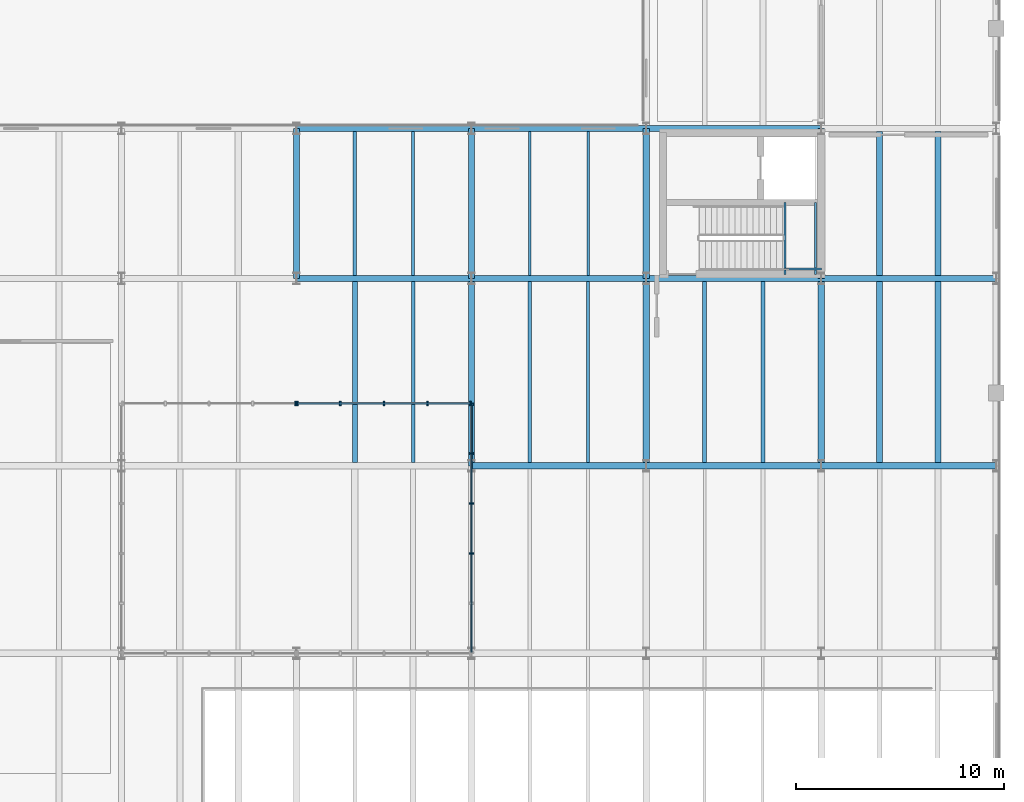
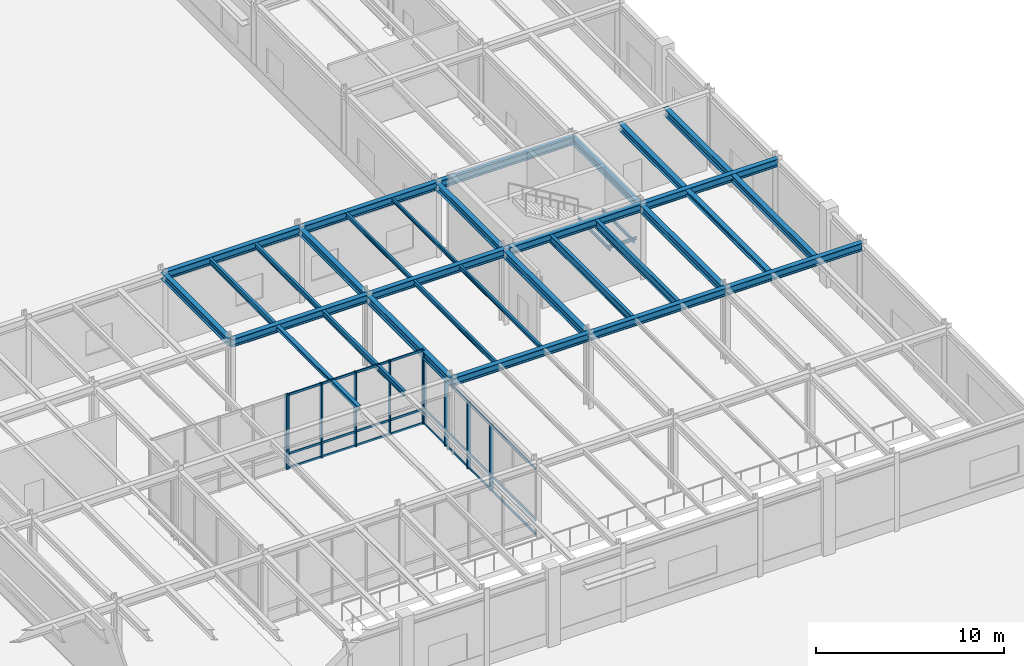
# One storey, part 29 of 64: 34 beams, 16 members, 3 elements without a shape of their own.
"""IFC4 building model written with IfcOpenShell, lengths in metres."""

from ifc_helpers import new_model, si_unit, direction, frame, origin, origin_2d, place, context, subcontext, project, spatial, rectangle, i_section, extrude, material, layer, layer_set, material_profile, profile_set, type_object, element, aggregate, save


model = new_model("IFC4")

# Units and contexts
model_context = context("Model", 3, precision=1e-05, world=origin(), true_north=direction((0.0, 1.0)))
body_context = subcontext(model_context, "Body", "Model", "MODEL_VIEW")
ifc_project = project(units=[si_unit("LENGTHUNIT", "METRE"), si_unit("AREAUNIT", "SQUARE_METRE"), si_unit("VOLUMEUNIT", "CUBIC_METRE"), si_unit("PLANEANGLEUNIT", "RADIAN"), si_unit("MASSUNIT", "GRAM", prefix="KILO")], contexts=[model_context])

# Site, building, storey
site_placement = place(None, origin())
site = spatial("IfcSite", under=ifc_project, at=site_placement, CompositionType="ELEMENT")
building_placement = place(site_placement, origin())
building = spatial("IfcBuilding", under=site, at=building_placement, Name="Montealbar Specialist Clinic", CompositionType="ELEMENT")
storey_placement = place(building_placement, origin())
storey = spatial("IfcBuildingStorey", under=building, at=storey_placement, Name="L00", CompositionType="ELEMENT", Elevation=0.0)

# Beams
ifc_material_1 = material(Name="Steel S355", Category="steel")
ifc_material_profile_1 = material_profile(ifc_material_1, i_section(OverallWidth=0.300048828125, OverallDepth=0.449951171875, WebThickness=0.013916015625, FlangeThickness=0.02587890625, FilletRadius=0.027099609375, at=origin_2d()), Name="HEB 450", Category="steel")
ifc_profile_set_1 = profile_set([ifc_material_profile_1], Name="Steel S355")
beam_type_1 = type_object("IfcBeamType", Name="BM-GIRD-HEB450", PredefinedType="BEAM", material=ifc_profile_set_1)
for number, where, z_axis, x_axis, name in (
    (1, (128.39990234375, 45.0, 4.5849609375), (0.0, 1.0, 0.0), (-1.0, 0.0, 0.0), "Beam GY-L00-1284-450-522"),
    (2, (136.800048828125, 45.0, 4.5849609375), (0.0, 1.0, 0.0), (-1.0, 0.0, 0.0), "Beam GY-L00-1368-450-522"),
    (3, (145.199951171875, 45.0, 4.5849609375), (0.0, 1.0, 0.0), (-1.0, 0.0, 0.0), "Beam GY-L00-1452-450-522"),
    (4, (153.60009765625, 45.0, 4.5849609375), (0.0, 1.0, 0.0), (-1.0, 0.0, 0.0), "Beam GY-L00-1536-450-522"),
):
    element("IfcBeam", number, at=place(storey_placement, frame(where, z_axis=z_axis, x_axis=x_axis)), inside=storey, type_object=beam_type_1, Name=name, PredefinedType="BEAM", context=body_context, shape_type="SweptSolid", body=[
        extrude(i_section(OverallWidth=0.300048828125, OverallDepth=0.449951171875, WebThickness=0.013916015625, FlangeThickness=0.02587890625, FilletRadius=0.027099609375, at=origin_2d()), origin(), (0.0, 0.0, 1.0), 7.199951171875),
    ])
ifc_material_profile_2 = material_profile(ifc_material_1, i_section(OverallWidth=0.300048828125, OverallDepth=0.5, WebThickness=0.014404296875, FlangeThickness=0.028076171875, FilletRadius=0.027099609375, at=origin_2d()), Name="HEB 500", Category="steel")
ifc_profile_set_2 = profile_set([ifc_material_profile_2], Name="Steel S355")
beam_type_2 = type_object("IfcBeamType", Name="BM-GIRD-HEB500", PredefinedType="BEAM", material=ifc_profile_set_2)
beam_1_placement = place(storey_placement, frame((136.800048828125, 36.0, 4.56005859375), z_axis=(1.0, 0.0, 0.0), x_axis=(0.0, 1.0, 0.0)))
element("IfcBeam", 5, at=beam_1_placement, inside=storey, type_object=beam_type_2, Name="Beam GX-L00-1368-1452-360", PredefinedType="BEAM", context=body_context, shape_type="SweptSolid", body=[
    extrude(i_section(OverallWidth=0.300048828125, OverallDepth=0.5, WebThickness=0.014404296875, FlangeThickness=0.028076171875, FilletRadius=0.027099609375, at=origin_2d()), origin(), (0.0, 0.0, 1.0), 8.39990234375),
])
beam_2_placement = place(storey_placement, frame((145.199951171875, 36.0, 4.56005859375), z_axis=(1.0, 0.0, 0.0), x_axis=(0.0, 1.0, 0.0)))
element("IfcBeam", 6, at=beam_2_placement, inside=storey, type_object=beam_type_2, Name="Beam GX-L00-1452-1536-360", PredefinedType="BEAM", context=body_context, shape_type="SweptSolid", body=[
    extrude(i_section(OverallWidth=0.300048828125, OverallDepth=0.5, WebThickness=0.014404296875, FlangeThickness=0.028076171875, FilletRadius=0.027099609375, at=origin_2d()), origin(), (0.0, 0.0, 1.0), 8.400146484375),
])
beam_3_placement = place(storey_placement, frame((153.60009765625, 36.0, 4.56005859375), z_axis=(1.0, 0.0, 0.0), x_axis=(0.0, 1.0, 0.0)))
element("IfcBeam", 7, at=beam_3_placement, inside=storey, type_object=beam_type_2, Name="Beam GX-L00-1536-1620-360", PredefinedType="BEAM", context=body_context, shape_type="SweptSolid", body=[
    extrude(i_section(OverallWidth=0.300048828125, OverallDepth=0.5, WebThickness=0.014404296875, FlangeThickness=0.028076171875, FilletRadius=0.027099609375, at=origin_2d()), origin(), (0.0, 0.0, 1.0), 8.39990234375),
])
beam_4_placement = place(storey_placement, frame((128.39990234375, 45.0, 4.56005859375), z_axis=(1.0, 0.0, 0.0), x_axis=(0.0, 1.0, 0.0)))
element("IfcBeam", 8, at=beam_4_placement, inside=storey, type_object=beam_type_2, Name="Beam GX-L00-1284-1368-450", PredefinedType="BEAM", context=body_context, shape_type="SweptSolid", body=[
    extrude(i_section(OverallWidth=0.300048828125, OverallDepth=0.5, WebThickness=0.014404296875, FlangeThickness=0.028076171875, FilletRadius=0.027099609375, at=origin_2d()), origin(), (0.0, 0.0, 1.0), 8.400146484375),
])
beam_5_placement = place(storey_placement, frame((136.800048828125, 45.0, 4.56005859375), z_axis=(1.0, 0.0, 0.0), x_axis=(0.0, 1.0, 0.0)))
element("IfcBeam", 9, at=beam_5_placement, inside=storey, type_object=beam_type_2, Name="Beam GX-L00-1368-1452-450", PredefinedType="BEAM", context=body_context, shape_type="SweptSolid", body=[
    extrude(i_section(OverallWidth=0.300048828125, OverallDepth=0.5, WebThickness=0.014404296875, FlangeThickness=0.028076171875, FilletRadius=0.027099609375, at=origin_2d()), origin(), (0.0, 0.0, 1.0), 8.39990234375),
])
beam_6_placement = place(storey_placement, frame((145.199951171875, 45.0, 4.56005859375), z_axis=(1.0, 0.0, 0.0), x_axis=(0.0, 1.0, 0.0)))
element("IfcBeam", 10, at=beam_6_placement, inside=storey, type_object=beam_type_2, Name="Beam GX-L00-1452-1536-450", PredefinedType="BEAM", context=body_context, shape_type="SweptSolid", body=[
    extrude(i_section(OverallWidth=0.300048828125, OverallDepth=0.5, WebThickness=0.014404296875, FlangeThickness=0.028076171875, FilletRadius=0.027099609375, at=origin_2d()), origin(), (0.0, 0.0, 1.0), 8.400146484375),
])
beam_7_placement = place(storey_placement, frame((153.60009765625, 45.0, 4.56005859375), z_axis=(1.0, 0.0, 0.0), x_axis=(0.0, 1.0, 0.0)))
element("IfcBeam", 11, at=beam_7_placement, inside=storey, type_object=beam_type_2, Name="Beam GX-L00-1536-1620-450", PredefinedType="BEAM", context=body_context, shape_type="SweptSolid", body=[
    extrude(i_section(OverallWidth=0.300048828125, OverallDepth=0.5, WebThickness=0.014404296875, FlangeThickness=0.028076171875, FilletRadius=0.027099609375, at=origin_2d()), origin(), (0.0, 0.0, 1.0), 8.39990234375),
])
beam_8_placement = place(storey_placement, frame((145.199951171875, 52.199951171875, 4.56005859375), z_axis=(1.0, 0.0, 0.0), x_axis=(0.0, 1.0, 0.0)))
element("IfcBeam", 12, at=beam_8_placement, inside=storey, type_object=beam_type_2, Name="Beam GX-L00-1452-1536-522", PredefinedType="BEAM", context=body_context, shape_type="SweptSolid", body=[
    extrude(i_section(OverallWidth=0.300048828125, OverallDepth=0.5, WebThickness=0.014404296875, FlangeThickness=0.028076171875, FilletRadius=0.027099609375, at=origin_2d()), origin(), (0.0, 0.0, 1.0), 8.400146484375),
])
for number, where, z_axis, x_axis, name in (
    (13, (145.199951171875, 36.0, 4.56005859375), (0.0, 1.0, 0.0), (-1.0, 0.0, 0.0), "Beam GY-L00-1452-360-450"),
    (14, (153.60009765625, 36.0, 4.56005859375), (0.0, 1.0, 0.0), (-1.0, 0.0, 0.0), "Beam GY-L00-1536-360-450"),
):
    element("IfcBeam", number, at=place(storey_placement, frame(where, z_axis=z_axis, x_axis=x_axis)), inside=storey, type_object=beam_type_2, Name=name, PredefinedType="BEAM", context=body_context, shape_type="SweptSolid", body=[
        extrude(i_section(OverallWidth=0.300048828125, OverallDepth=0.5, WebThickness=0.014404296875, FlangeThickness=0.028076171875, FilletRadius=0.027099609375, at=origin_2d()), origin(), (0.0, 0.0, 1.0), 9.0),
    ])
ifc_material_profile_3 = material_profile(ifc_material_1, i_section(OverallWidth=0.300048828125, OverallDepth=0.5, WebThickness=0.014404296875, FlangeThickness=0.028076171875, FilletRadius=0.027099609375, at=origin_2d()), Name="HEB 500", Category="steel")
ifc_profile_set_3 = profile_set([ifc_material_profile_3], Name="Steel S355")
beam_type_3 = type_object("IfcBeamType", Name="BM-GIRD-HEB500-EXT", PredefinedType="BEAM", material=ifc_profile_set_3)
beam_9_placement = place(storey_placement, frame((128.39990234375, 52.199951171875, 4.56005859375), z_axis=(1.0, 0.0, 0.0), x_axis=(0.0, 1.0, 0.0)))
element("IfcBeam", 15, at=beam_9_placement, inside=storey, type_object=beam_type_3, Name="Beam GX-L00-1284-1368-522", PredefinedType="BEAM", context=body_context, shape_type="SweptSolid", body=[
    extrude(i_section(OverallWidth=0.300048828125, OverallDepth=0.5, WebThickness=0.014404296875, FlangeThickness=0.028076171875, FilletRadius=0.027099609375, at=origin_2d()), origin(), (0.0, 0.0, 1.0), 8.400146484375),
])
beam_10_placement = place(storey_placement, frame((136.800048828125, 52.199951171875, 4.56005859375), z_axis=(1.0, 0.0, 0.0), x_axis=(0.0, 1.0, 0.0)))
element("IfcBeam", 16, at=beam_10_placement, inside=storey, type_object=beam_type_3, Name="Beam GX-L00-1368-1452-522", PredefinedType="BEAM", context=body_context, shape_type="SweptSolid", body=[
    extrude(i_section(OverallWidth=0.300048828125, OverallDepth=0.5, WebThickness=0.014404296875, FlangeThickness=0.028076171875, FilletRadius=0.027099609375, at=origin_2d()), origin(), (0.0, 0.0, 1.0), 8.39990234375),
])
beam_11_placement = place(storey_placement, frame((136.800048828125, 36.0, 4.56005859375), z_axis=(0.0, 1.0, 0.0), x_axis=(-1.0, 0.0, 0.0)))
element("IfcBeam", 17, at=beam_11_placement, inside=storey, type_object=beam_type_3, Name="Beam GY-L00-1368-360-450", PredefinedType="BEAM", context=body_context, shape_type="SweptSolid", body=[
    extrude(i_section(OverallWidth=0.300048828125, OverallDepth=0.5, WebThickness=0.014404296875, FlangeThickness=0.028076171875, FilletRadius=0.027099609375, at=origin_2d()), origin(), (0.0, 0.0, 1.0), 9.0),
])
ifc_material_profile_4 = material_profile(ifc_material_1, i_section(OverallWidth=0.300048828125, OverallDepth=0.35009765625, WebThickness=0.010009765625, FlangeThickness=0.017578125, FilletRadius=0.027099609375, at=origin_2d()), Name="HEA 360", Category="steel")
ifc_profile_set_4 = profile_set([ifc_material_profile_4], Name="Steel S355")
beam_type_4 = type_object("IfcBeamType", Name="BM-JST-HEA360", PredefinedType="JOIST", material=ifc_profile_set_4)
beam_12_placement = place(storey_placement, frame((156.39990234375, 36.14990234375, 4.635009765625), z_axis=(0.0, 1.0, 0.0), x_axis=(-1.0, 0.0, 0.0)))
element("IfcBeam", 18, at=beam_12_placement, inside=storey, type_object=beam_type_4, Name="Beam JST-L00-1564-362-448", PredefinedType="JOIST", context=body_context, shape_type="SweptSolid", body=[
    extrude(i_section(OverallWidth=0.300048828125, OverallDepth=0.35009765625, WebThickness=0.010009765625, FlangeThickness=0.017578125, FilletRadius=0.027099609375, at=origin_2d()), origin(), (0.0, 0.0, 1.0), 8.7001953125),
])
ifc_material_profile_5 = material_profile(ifc_material_1, i_section(OverallWidth=0.300048828125, OverallDepth=0.43994140625, WebThickness=0.011474609375, FlangeThickness=0.02099609375, FilletRadius=0.027099609375, at=origin_2d()), Name="HEA 450", Category="steel")
ifc_profile_set_5 = profile_set([ifc_material_profile_5], Name="Steel S355")
beam_type_5 = type_object("IfcBeamType", Name="BM-JST-HEA450", PredefinedType="JOIST", material=ifc_profile_set_5)
beam_13_placement = place(storey_placement, frame((159.199951171875, 36.14990234375, 4.590087890625), z_axis=(0.0, 1.0, 0.0), x_axis=(-1.0, 0.0, 0.0)))
element("IfcBeam", 19, at=beam_13_placement, inside=storey, type_object=beam_type_5, Name="Beam JST-L00-1592-362-448", PredefinedType="JOIST", context=body_context, shape_type="SweptSolid", body=[
    extrude(i_section(OverallWidth=0.300048828125, OverallDepth=0.43994140625, WebThickness=0.011474609375, FlangeThickness=0.02099609375, FilletRadius=0.027099609375, at=origin_2d()), origin(), (0.0, 0.0, 1.0), 8.7001953125),
])
beam_14_placement = place(storey_placement, frame((156.39990234375, 45.14990234375, 4.590087890625), z_axis=(0.0, 1.0, 0.0), x_axis=(-1.0, 0.0, 0.0)))
element("IfcBeam", 20, at=beam_14_placement, inside=storey, type_object=beam_type_5, Name="Beam JST-L00-1564-452-520", PredefinedType="JOIST", context=body_context, shape_type="SweptSolid", body=[
    extrude(i_section(OverallWidth=0.300048828125, OverallDepth=0.43994140625, WebThickness=0.011474609375, FlangeThickness=0.02099609375, FilletRadius=0.027099609375, at=origin_2d()), origin(), (0.0, 0.0, 1.0), 6.900146484375),
])
ifc_material_profile_6 = material_profile(ifc_material_1, i_section(OverallWidth=0.300048828125, OverallDepth=0.489990234375, WebThickness=0.011962890625, FlangeThickness=0.02294921875, FilletRadius=0.027099609375, at=origin_2d()), Name="HEA 500", Category="steel")
ifc_profile_set_6 = profile_set([ifc_material_profile_6], Name="Steel S355")
beam_type_6 = type_object("IfcBeamType", Name="BM-JST-HEA500", PredefinedType="JOIST", material=ifc_profile_set_6)
beam_15_placement = place(storey_placement, frame((159.199951171875, 45.14990234375, 4.56494140625), z_axis=(0.0, 1.0, 0.0), x_axis=(-1.0, 0.0, 0.0)))
element("IfcBeam", 21, at=beam_15_placement, inside=storey, type_object=beam_type_6, Name="Beam JST-L00-1592-452-520", PredefinedType="JOIST", context=body_context, shape_type="SweptSolid", body=[
    extrude(i_section(OverallWidth=0.300048828125, OverallDepth=0.489990234375, WebThickness=0.011962890625, FlangeThickness=0.02294921875, FilletRadius=0.027099609375, at=origin_2d()), origin(), (0.0, 0.0, 1.0), 6.900146484375),
])
ifc_material_profile_7 = material_profile(ifc_material_1, i_section(OverallWidth=0.1201171875, OverallDepth=0.239990234375, WebThickness=0.006103515625, FlangeThickness=0.009765625, FilletRadius=0.014892578125, at=origin_2d()), Name="IPE 240", Category="steel")
ifc_profile_set_7 = profile_set([ifc_material_profile_7], Name="Steel S355")
beam_type_7 = type_object("IfcBeamType", Name="BM-JST-IPE240", PredefinedType="JOIST", material=ifc_profile_set_7)
beam_16_placement = place(storey_placement, frame((142.39990234375, 45.14990234375, 4.68994140625), z_axis=(0.0, 1.0, 0.0), x_axis=(-1.0, 0.0, 0.0)))
element("IfcBeam", 22, at=beam_16_placement, inside=storey, type_object=beam_type_7, Name="Beam JST-L00-1424-452-520", PredefinedType="JOIST", context=body_context, shape_type="SweptSolid", body=[
    extrude(i_section(OverallWidth=0.1201171875, OverallDepth=0.239990234375, WebThickness=0.006103515625, FlangeThickness=0.009765625, FilletRadius=0.014892578125, at=origin_2d()), origin(), (0.0, 0.0, 1.0), 6.900146484375),
])
ifc_material_profile_8 = material_profile(ifc_material_1, i_section(OverallWidth=0.135009765625, OverallDepth=0.27001953125, WebThickness=0.006591796875, FlangeThickness=0.01025390625, FilletRadius=0.014892578125, at=origin_2d()), Name="IPE 270", Category="steel")
ifc_profile_set_8 = profile_set([ifc_material_profile_8], Name="Steel S355")
beam_type_8 = type_object("IfcBeamType", Name="BM-JST-IPE270", PredefinedType="JOIST", material=ifc_profile_set_8)
beam_17_placement = place(storey_placement, frame((142.39990234375, 36.14990234375, 4.675048828125), z_axis=(0.0, 1.0, 0.0), x_axis=(-1.0, 0.0, 0.0)))
element("IfcBeam", 23, at=beam_17_placement, inside=storey, type_object=beam_type_8, Name="Beam JST-L00-1424-362-448", PredefinedType="JOIST", context=body_context, shape_type="SweptSolid", body=[
    extrude(i_section(OverallWidth=0.135009765625, OverallDepth=0.27001953125, WebThickness=0.006591796875, FlangeThickness=0.01025390625, FilletRadius=0.014892578125, at=origin_2d()), origin(), (0.0, 0.0, 1.0), 8.7001953125),
])
beam_18_placement = place(storey_placement, frame((139.60009765625, 45.14990234375, 4.675048828125), z_axis=(0.0, 1.0, 0.0), x_axis=(-1.0, 0.0, 0.0)))
element("IfcBeam", 24, at=beam_18_placement, inside=storey, type_object=beam_type_8, Name="Beam JST-L00-1396-452-520", PredefinedType="JOIST", context=body_context, shape_type="SweptSolid", body=[
    extrude(i_section(OverallWidth=0.135009765625, OverallDepth=0.27001953125, WebThickness=0.006591796875, FlangeThickness=0.01025390625, FilletRadius=0.014892578125, at=origin_2d()), origin(), (0.0, 0.0, 1.0), 6.900146484375),
])
ifc_material_profile_9 = material_profile(ifc_material_1, i_section(OverallWidth=0.14990234375, OverallDepth=0.300048828125, WebThickness=0.007080078125, FlangeThickness=0.0107421875, FilletRadius=0.014892578125, at=origin_2d()), Name="IPE 300", Category="steel")
ifc_profile_set_9 = profile_set([ifc_material_profile_9], Name="Steel S355")
beam_type_9 = type_object("IfcBeamType", Name="BM-JST-IPE300", PredefinedType="JOIST", material=ifc_profile_set_9)
beam_19_placement = place(storey_placement, frame((139.60009765625, 36.14990234375, 4.659912109375), z_axis=(0.0, 1.0, 0.0), x_axis=(-1.0, 0.0, 0.0)))
element("IfcBeam", 25, at=beam_19_placement, inside=storey, type_object=beam_type_9, Name="Beam JST-L00-1396-362-448", PredefinedType="JOIST", context=body_context, shape_type="SweptSolid", body=[
    extrude(i_section(OverallWidth=0.14990234375, OverallDepth=0.300048828125, WebThickness=0.007080078125, FlangeThickness=0.0107421875, FilletRadius=0.014892578125, at=origin_2d()), origin(), (0.0, 0.0, 1.0), 8.7001953125),
])
ifc_material_profile_10 = material_profile(ifc_material_1, i_section(OverallWidth=0.159912109375, OverallDepth=0.330078125, WebThickness=0.007568359375, FlangeThickness=0.011474609375, FilletRadius=0.01806640625, at=origin_2d()), Name="IPE 330", Category="steel")
ifc_profile_set_10 = profile_set([ifc_material_profile_10], Name="Steel S355")
beam_type_10 = type_object("IfcBeamType", Name="BM-JST-IPE330", PredefinedType="JOIST", material=ifc_profile_set_10)
beam_20_placement = place(storey_placement, frame((134.0, 45.14990234375, 4.64501953125), z_axis=(0.0, 1.0, 0.0), x_axis=(-1.0, 0.0, 0.0)))
element("IfcBeam", 26, at=beam_20_placement, inside=storey, type_object=beam_type_10, Name="Beam JST-L00-1340-452-520", PredefinedType="JOIST", context=body_context, shape_type="SweptSolid", body=[
    extrude(i_section(OverallWidth=0.159912109375, OverallDepth=0.330078125, WebThickness=0.007568359375, FlangeThickness=0.011474609375, FilletRadius=0.01806640625, at=origin_2d()), origin(), (0.0, 0.0, 1.0), 6.900146484375),
])
ifc_material_profile_11 = material_profile(ifc_material_1, i_section(OverallWidth=0.169921875, OverallDepth=0.360107421875, WebThickness=0.008056640625, FlangeThickness=0.0126953125, FilletRadius=0.01806640625, at=origin_2d()), Name="IPE 360", Category="steel")
ifc_profile_set_11 = profile_set([ifc_material_profile_11], Name="Steel S355")
beam_type_11 = type_object("IfcBeamType", Name="BM-JST-IPE360", PredefinedType="JOIST", material=ifc_profile_set_11)
beam_21_placement = place(storey_placement, frame((134.0, 36.15087890625, 4.6298828125), z_axis=(0.0, 1.0, 0.0), x_axis=(-1.0, 0.0, 0.0)))
element("IfcBeam", 27, at=beam_21_placement, inside=storey, type_object=beam_type_11, Name="Beam JST-L00-1340-362-448", PredefinedType="JOIST", context=body_context, shape_type="SweptSolid", body=[
    extrude(i_section(OverallWidth=0.169921875, OverallDepth=0.360107421875, WebThickness=0.008056640625, FlangeThickness=0.0126953125, FilletRadius=0.01806640625, at=origin_2d()), origin(), (0.0, 0.0, 1.0), 8.69921875),
])
beam_22_placement = place(storey_placement, frame((131.199951171875, 45.14990234375, 4.6298828125), z_axis=(0.0, 1.0, 0.0), x_axis=(-1.0, 0.0, 0.0)))
element("IfcBeam", 28, at=beam_22_placement, inside=storey, type_object=beam_type_11, Name="Beam JST-L00-1312-452-520", PredefinedType="JOIST", context=body_context, shape_type="SweptSolid", body=[
    extrude(i_section(OverallWidth=0.169921875, OverallDepth=0.360107421875, WebThickness=0.008056640625, FlangeThickness=0.0126953125, FilletRadius=0.01806640625, at=origin_2d()), origin(), (0.0, 0.0, 1.0), 6.900146484375),
])
ifc_material_profile_12 = material_profile(ifc_material_1, i_section(OverallWidth=0.199951171875, OverallDepth=0.5, WebThickness=0.01025390625, FlangeThickness=0.01611328125, FilletRadius=0.02099609375, at=origin_2d()), Name="IPE 500", Category="steel")
ifc_profile_set_12 = profile_set([ifc_material_profile_12], Name="Steel S355")
beam_type_12 = type_object("IfcBeamType", Name="BM-JST-IPE500", PredefinedType="JOIST", material=ifc_profile_set_12)
beam_23_placement = place(storey_placement, frame((148.0, 36.14990234375, 4.56005859375), z_axis=(0.0, 1.0, 0.0), x_axis=(-1.0, 0.0, 0.0)))
element("IfcBeam", 29, at=beam_23_placement, inside=storey, type_object=beam_type_12, Name="Beam JST-L00-1480-362-448", PredefinedType="JOIST", context=body_context, shape_type="SweptSolid", body=[
    extrude(i_section(OverallWidth=0.199951171875, OverallDepth=0.5, WebThickness=0.01025390625, FlangeThickness=0.01611328125, FilletRadius=0.02099609375, at=origin_2d()), origin(), (0.0, 0.0, 1.0), 8.7001953125),
])
ifc_material_profile_13 = material_profile(ifc_material_1, i_section(OverallWidth=0.2099609375, OverallDepth=0.550048828125, WebThickness=0.010986328125, FlangeThickness=0.01708984375, FilletRadius=0.02392578125, at=origin_2d()), Name="IPE 550", Category="steel")
ifc_profile_set_13 = profile_set([ifc_material_profile_13], Name="Steel S355")
beam_type_13 = type_object("IfcBeamType", Name="BM-JST-IPE550", PredefinedType="JOIST", material=ifc_profile_set_13)
beam_24_placement = place(storey_placement, frame((150.800048828125, 36.14990234375, 4.534912109375), z_axis=(0.0, 1.0, 0.0), x_axis=(-1.0, 0.0, 0.0)))
element("IfcBeam", 30, at=beam_24_placement, inside=storey, type_object=beam_type_13, Name="Beam JST-L00-1508-362-448", PredefinedType="JOIST", context=body_context, shape_type="SweptSolid", body=[
    extrude(i_section(OverallWidth=0.2099609375, OverallDepth=0.550048828125, WebThickness=0.010986328125, FlangeThickness=0.01708984375, FilletRadius=0.02392578125, at=origin_2d()), origin(), (0.0, 0.0, 1.0), 8.7001953125),
])
ifc_material_profile_14 = material_profile(ifc_material_1, i_section(OverallWidth=0.10009765625, OverallDepth=0.199951171875, WebThickness=0.005615234375, FlangeThickness=0.008544921875, FilletRadius=0.011962890625, at=origin_2d()), Name="IPE 200", Category="steel")
ifc_profile_set_14 = profile_set([ifc_material_profile_14], Name="Steel S355")
beam_type_14 = type_object("IfcBeamType", Name="BM-LINT-IPE200", PredefinedType="LINTEL", material=ifc_profile_set_14)
for number, where, z_axis, x_axis, name in (
    (31, (151.860107421875, 45.199951171875, 2.25), (0.0, 1.0, 0.0), (-1.0, 0.0, 0.0), "Core C6 Stair Landing Beam L00 W"),
    (32, (153.330078125, 45.199951171875, 2.25), (0.0, 1.0, 0.0), (-1.0, 0.0, 0.0), "Core C6 Stair Landing Beam L00 E"),
):
    element("IfcBeam", number, at=place(storey_placement, frame(where, z_axis=z_axis, x_axis=x_axis)), inside=storey, type_object=beam_type_14, Name=name, PredefinedType="LINTEL", context=body_context, shape_type="SweptSolid", body=[
        extrude(i_section(OverallWidth=0.10009765625, OverallDepth=0.199951171875, WebThickness=0.005615234375, FlangeThickness=0.008544921875, FilletRadius=0.011962890625, at=origin_2d()), origin(), (0.0, 0.0, 1.0), 3.449951171875),
    ])
beam_25_placement = place(storey_placement, frame((151.860107421875, 45.449951171875, 2.25), z_axis=(1.0, 0.0, 0.0), x_axis=(0.0, 1.0, 0.0)))
element("IfcBeam", 33, at=beam_25_placement, inside=storey, type_object=beam_type_14, Name="Core C6 Stair Landing Tie Beam L00", PredefinedType="LINTEL", context=body_context, shape_type="SweptSolid", body=[
    extrude(i_section(OverallWidth=0.10009765625, OverallDepth=0.199951171875, WebThickness=0.005615234375, FlangeThickness=0.008544921875, FilletRadius=0.011962890625, at=origin_2d()), origin(), (0.0, 0.0, 1.0), 1.739990234375),
])
ifc_material_profile_15 = material_profile(ifc_material_1, i_section(OverallWidth=0.239990234375, OverallDepth=0.22998046875, WebThickness=0.007568359375, FlangeThickness=0.011962890625, FilletRadius=0.02099609375, at=origin_2d()), Name="HEA 240", Category="steel")
ifc_profile_set_15 = profile_set([ifc_material_profile_15], Name="Steel S355")
beam_type_15 = type_object("IfcBeamType", Name="BM-SPAND-HEA240", PredefinedType="SPANDREL", material=ifc_profile_set_15)
beam_26_placement = place(storey_placement, frame((131.199951171875, 36.15087890625, 4.695068359375), z_axis=(0.0, 1.0, 0.0), x_axis=(-1.0, 0.0, 0.0)))
element("IfcBeam", 34, at=beam_26_placement, inside=storey, type_object=beam_type_15, Name="Beam JST-L00-1312-362-448", PredefinedType="SPANDREL", context=body_context, shape_type="SweptSolid", body=[
    extrude(i_section(OverallWidth=0.239990234375, OverallDepth=0.22998046875, WebThickness=0.007568359375, FlangeThickness=0.011962890625, FilletRadius=0.02099609375, at=origin_2d()), origin(), (0.0, 0.0, 1.0), 8.69921875),
])

# Curtain wall, members
ifc_material_2 = material(Name="Low-E double glazing", Category="glass")
ifc_layer_1 = layer(ifc_material_2, 0.199951171875, Name="Low-E double glazing", Category="glass")
ifc_layer_set_1 = layer_set([ifc_layer_1], Name="Low-E double glazing")
curtain_wall_type_1 = type_object("IfcCurtainWallType", Name="CW-TYPE-04", PredefinedType="NOTDEFINED", material=ifc_layer_set_1)
curtain_wall_1_placement = place(storey_placement, origin())
curtain_wall_1 = element("IfcCurtainWall", 35, at=curtain_wall_1_placement, inside=storey, type_object=curtain_wall_type_1, Name="Unitised Curtain Wall CW-L00-1368-270-1368-390-0", PredefinedType="NOTDEFINED")
ifc_material_3 = material(Name="Anodised aluminium EN AW-6063", Category="aluminium")
ifc_material_profile_16 = material_profile(ifc_material_3, rectangle(XDim=0.080078125, YDim=0.219970703125, at=origin_2d()), Name="ALU 80x220", Category="aluminium")
ifc_profile_set_16 = profile_set([ifc_material_profile_16], Name="Anodised aluminium EN AW-6063")
member_type_1 = type_object("IfcMemberType", Name="CW-MUL-220", PredefinedType="MULLION", material=ifc_profile_set_16)
member_1_placement = place(storey_placement, frame((136.800048828125, 31.800048828125, 0.0), z_axis=(0.0, 0.0, 1.0), x_axis=(0.0, 1.0, 0.0)))
member_1 = element("IfcMember", 36, at=member_1_placement, type_object=member_type_1, Name="Curtain Wall Mullion CW-L00-1368-270-1368-390-0-02", PredefinedType="MULLION", context=body_context, shape_type="SweptSolid", body=[
    extrude(rectangle(XDim=0.080078125, YDim=0.219970703125, at=origin_2d()), origin(), (0.0, 0.0, 1.0), 4.31005859375),
])
member_2_placement = place(storey_placement, frame((136.800048828125, 34.199951171875, 0.0), z_axis=(0.0, 0.0, 1.0), x_axis=(0.0, 1.0, 0.0)))
member_2 = element("IfcMember", 37, at=member_2_placement, type_object=member_type_1, Name="Curtain Wall Mullion CW-L00-1368-270-1368-390-0-03", PredefinedType="MULLION", context=body_context, shape_type="SweptSolid", body=[
    extrude(rectangle(XDim=0.080078125, YDim=0.219970703125, at=origin_2d()), origin(), (0.0, 0.0, 1.0), 4.31005859375),
])
member_3_placement = place(storey_placement, frame((136.800048828125, 36.60009765625, 0.0), z_axis=(0.0, 0.0, 1.0), x_axis=(0.0, 1.0, 0.0)))
member_3 = element("IfcMember", 38, at=member_3_placement, type_object=member_type_1, Name="Curtain Wall Mullion CW-L00-1368-270-1368-390-0-04", PredefinedType="MULLION", context=body_context, shape_type="SweptSolid", body=[
    extrude(rectangle(XDim=0.080078125, YDim=0.219970703125, at=origin_2d()), origin(), (0.0, 0.0, 1.0), 4.31005859375),
])
member_4_placement = place(storey_placement, frame((136.800048828125, 38.955078125, 0.0), z_axis=(0.0, 0.0, 1.0), x_axis=(0.0, 1.0, 0.0)))
member_4 = element("IfcMember", 39, at=member_4_placement, type_object=member_type_1, Name="Curtain Wall Mullion CW-L00-1368-270-1368-390-0-05", PredefinedType="MULLION", context=body_context, shape_type="SweptSolid", body=[
    extrude(rectangle(XDim=0.080078125, YDim=0.219970703125, at=origin_2d()), origin(), (0.0, 0.0, 1.0), 4.31005859375),
])

ifc_layer_2 = layer(ifc_material_2, 0.199951171875, Name="Low-E double glazing", Category="glass")
ifc_layer_set_2 = layer_set([ifc_layer_2], Name="Low-E double glazing")
curtain_wall_type_2 = type_object("IfcCurtainWallType", Name="CW-TYPE-06", PredefinedType="NOTDEFINED", material=ifc_layer_set_2)
curtain_wall_2_placement = place(storey_placement, origin())
curtain_wall_2 = element("IfcCurtainWall", 40, at=curtain_wall_2_placement, inside=storey, type_object=curtain_wall_type_2, Name="Unitised Curtain Wall CW-L00-1368-390-1284-390-0", PredefinedType="NOTDEFINED")
member_5_placement = place(storey_placement, frame((136.7548828125, 39.0, 0.0), z_axis=(0.0, 0.0, 1.0), x_axis=(-1.0, 0.0, 0.0)))
member_5 = element("IfcMember", 41, at=member_5_placement, type_object=member_type_1, Name="Curtain Wall Mullion CW-L00-1368-390-1284-390-0-00", PredefinedType="MULLION", context=body_context, shape_type="SweptSolid", body=[
    extrude(rectangle(XDim=0.080078125, YDim=0.219970703125, at=origin_2d()), origin(), (0.0, 0.0, 1.0), 4.820068359375),
])
member_6_placement = place(storey_placement, frame((134.699951171875, 39.0, 0.0), z_axis=(0.0, 0.0, 1.0), x_axis=(-1.0, 0.0, 0.0)))
member_6 = element("IfcMember", 42, at=member_6_placement, type_object=member_type_1, Name="Curtain Wall Mullion CW-L00-1368-390-1284-390-0-01", PredefinedType="MULLION", context=body_context, shape_type="SweptSolid", body=[
    extrude(rectangle(XDim=0.080078125, YDim=0.219970703125, at=origin_2d()), origin(), (0.0, 0.0, 1.0), 4.820068359375),
])
member_7_placement = place(storey_placement, frame((132.60009765625, 39.0, 0.0), z_axis=(0.0, 0.0, 1.0), x_axis=(-1.0, 0.0, 0.0)))
member_7 = element("IfcMember", 43, at=member_7_placement, type_object=member_type_1, Name="Curtain Wall Mullion CW-L00-1368-390-1284-390-0-02", PredefinedType="MULLION", context=body_context, shape_type="SweptSolid", body=[
    extrude(rectangle(XDim=0.080078125, YDim=0.219970703125, at=origin_2d()), origin(), (0.0, 0.0, 1.0), 4.820068359375),
])
member_8_placement = place(storey_placement, frame((130.5, 39.0, 0.0), z_axis=(0.0, 0.0, 1.0), x_axis=(-1.0, 0.0, 0.0)))
member_8 = element("IfcMember", 44, at=member_8_placement, type_object=member_type_1, Name="Curtain Wall Mullion CW-L00-1368-390-1284-390-0-03", PredefinedType="MULLION", context=body_context, shape_type="SweptSolid", body=[
    extrude(rectangle(XDim=0.080078125, YDim=0.219970703125, at=origin_2d()), origin(), (0.0, 0.0, 1.0), 4.820068359375),
])
member_9_placement = place(storey_placement, frame((128.445068359375, 39.0, 0.0), z_axis=(0.0, 0.0, 1.0), x_axis=(-1.0, 0.0, 0.0)))
member_9 = element("IfcMember", 45, at=member_9_placement, type_object=member_type_1, Name="Curtain Wall Mullion CW-L00-1368-390-1284-390-0-04", PredefinedType="MULLION", context=body_context, shape_type="SweptSolid", body=[
    extrude(rectangle(XDim=0.080078125, YDim=0.219970703125, at=origin_2d()), origin(), (0.0, 0.0, 1.0), 4.820068359375),
])

# Curtain wall, member
curtain_wall_3_placement = place(storey_placement, origin())
curtain_wall_3 = element("IfcCurtainWall", 46, at=curtain_wall_3_placement, inside=storey, type_object=curtain_wall_type_2, Name="Unitised Curtain Wall CW-L00-1284-390-1200-390-0", PredefinedType="NOTDEFINED")
member_10_placement = place(storey_placement, frame((128.35498046875, 39.0, 0.0), z_axis=(0.0, 0.0, 1.0), x_axis=(-1.0, 0.0, 0.0)))
member_10 = element("IfcMember", 47, at=member_10_placement, type_object=member_type_1, Name="Curtain Wall Mullion CW-L00-1284-390-1200-390-0-00", PredefinedType="MULLION", context=body_context, shape_type="SweptSolid", body=[
    extrude(rectangle(XDim=0.080078125, YDim=0.219970703125, at=origin_2d()), origin(), (0.0, 0.0, 1.0), 4.820068359375),
])
aggregate(curtain_wall_3, [member_10])

# Member
ifc_material_4 = material(Name="Powder-coated aluminium", Category="aluminium")
ifc_material_profile_17 = material_profile(ifc_material_4, rectangle(XDim=0.070068359375, YDim=0.139892578125, at=origin_2d()), Name="ALU 70x140", Category="aluminium")
ifc_profile_set_17 = profile_set([ifc_material_profile_17], Name="Powder-coated aluminium")
member_type_2 = type_object("IfcMemberType", Name="CW-TRN-140", PredefinedType="USERDEFINED", material=ifc_profile_set_17)
member_11_placement = place(storey_placement, frame((136.800048828125, 27.050048828125, 0.0400390625), z_axis=(0.0, 1.0, 0.0), x_axis=(-1.0, 0.0, 0.0)))
member_11 = element("IfcMember", 48, at=member_11_placement, type_object=member_type_2, Name="Curtain Wall Transom CW-L00-1368-270-1368-390-0-00", ObjectType="TRANSOM", PredefinedType="USERDEFINED", context=body_context, shape_type="SweptSolid", body=[
    extrude(rectangle(XDim=0.070068359375, YDim=0.139892578125, at=origin_2d()), origin(), (0.0, 0.0, 1.0), 11.89990234375),
])

member_12_placement = place(storey_placement, frame((136.800048828125, 27.050048828125, 0.949951171875), z_axis=(0.0, 1.0, 0.0), x_axis=(-1.0, 0.0, 0.0)))
member_12 = element("IfcMember", 49, at=member_12_placement, type_object=member_type_2, Name="Curtain Wall Transom CW-L00-1368-270-1368-390-0-01", ObjectType="TRANSOM", PredefinedType="USERDEFINED", context=body_context, shape_type="SweptSolid", body=[
    extrude(rectangle(XDim=0.070068359375, YDim=0.139892578125, at=origin_2d()), origin(), (0.0, 0.0, 1.0), 11.89990234375),
])

member_13_placement = place(storey_placement, frame((136.800048828125, 27.050048828125, 4.27001953125), z_axis=(0.0, 1.0, 0.0), x_axis=(-1.0, 0.0, 0.0)))
member_13 = element("IfcMember", 50, at=member_13_placement, type_object=member_type_2, Name="Curtain Wall Transom CW-L00-1368-270-1368-390-0-02", ObjectType="TRANSOM", PredefinedType="USERDEFINED", context=body_context, shape_type="SweptSolid", body=[
    extrude(rectangle(XDim=0.070068359375, YDim=0.139892578125, at=origin_2d()), origin(), (0.0, 0.0, 1.0), 11.89990234375),
])

aggregate(curtain_wall_1, [member_1, member_2, member_3, member_4, member_11, member_12, member_13])

member_14_placement = place(storey_placement, frame((136.75, 39.0, 0.0400390625), z_axis=(-1.0, 0.0, 0.0), x_axis=(0.0, -1.0, 0.0)))
member_14 = element("IfcMember", 51, at=member_14_placement, type_object=member_type_2, Name="Curtain Wall Transom CW-L00-1368-390-1284-390-0-00", ObjectType="TRANSOM", PredefinedType="USERDEFINED", context=body_context, shape_type="SweptSolid", body=[
    extrude(rectangle(XDim=0.070068359375, YDim=0.139892578125, at=origin_2d()), origin(), (0.0, 0.0, 1.0), 8.300048828125),
])

member_15_placement = place(storey_placement, frame((136.75, 39.0, 0.949951171875), z_axis=(-1.0, 0.0, 0.0), x_axis=(0.0, -1.0, 0.0)))
member_15 = element("IfcMember", 52, at=member_15_placement, type_object=member_type_2, Name="Curtain Wall Transom CW-L00-1368-390-1284-390-0-01", ObjectType="TRANSOM", PredefinedType="USERDEFINED", context=body_context, shape_type="SweptSolid", body=[
    extrude(rectangle(XDim=0.070068359375, YDim=0.139892578125, at=origin_2d()), origin(), (0.0, 0.0, 1.0), 8.300048828125),
])

member_16_placement = place(storey_placement, frame((136.75, 39.0, 4.780029296875), z_axis=(-1.0, 0.0, 0.0), x_axis=(0.0, -1.0, 0.0)))
member_16 = element("IfcMember", 53, at=member_16_placement, type_object=member_type_2, Name="Curtain Wall Transom CW-L00-1368-390-1284-390-0-02", ObjectType="TRANSOM", PredefinedType="USERDEFINED", context=body_context, shape_type="SweptSolid", body=[
    extrude(rectangle(XDim=0.070068359375, YDim=0.139892578125, at=origin_2d()), origin(), (0.0, 0.0, 1.0), 8.300048828125),
])

aggregate(curtain_wall_2, [member_5, member_6, member_7, member_8, member_9, member_14, member_15, member_16])

save(model, "model.ifc")
